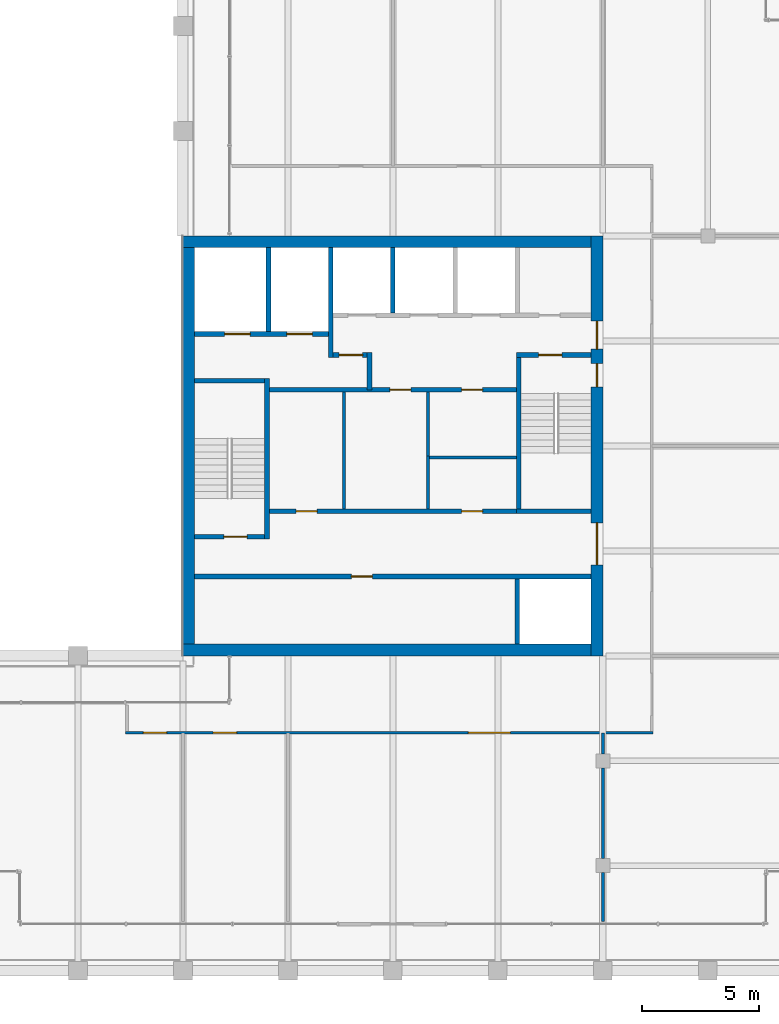
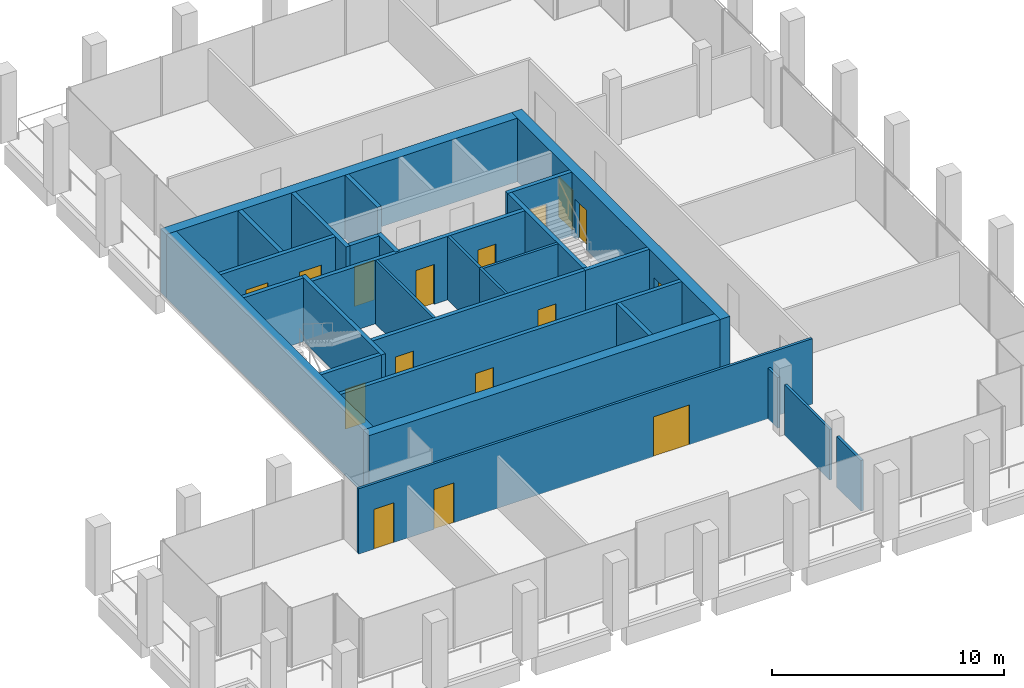
# One storey, part 28 of 30: 28 walls, 16 doors, 16 openings.
"""IFC4 building model written with IfcOpenShell, lengths in metres."""

from ifc_helpers import new_model, si_unit, direction, frame, frame_2d, origin, place, context, subcontext, project, spatial, rectangle, extrude, material, layer, layer_set, type_object, element, fill, save


model = new_model("IFC4")

# Units and contexts
model_context = context("Model", 3, precision=1e-05, world=origin(), true_north=direction((0.0, 1.0)))
body_context = subcontext(model_context, "Body", "Model", "MODEL_VIEW")
ifc_project = project(units=[si_unit("LENGTHUNIT", "METRE"), si_unit("AREAUNIT", "SQUARE_METRE"), si_unit("VOLUMEUNIT", "CUBIC_METRE"), si_unit("PLANEANGLEUNIT", "RADIAN"), si_unit("MASSUNIT", "GRAM", prefix="KILO")], contexts=[model_context])

# Site, building, storey
site_placement = place(None, origin())
site = spatial("IfcSite", under=ifc_project, at=site_placement, CompositionType="ELEMENT")
building_placement = place(site_placement, origin())
building = spatial("IfcBuilding", under=site, at=building_placement, Name="Altepetl Exchange Towers", CompositionType="ELEMENT")
storey_placement = place(building_placement, frame((0.0, 0.0, 228.0)))
storey = spatial("IfcBuildingStorey", under=building, at=storey_placement, Name="L58", CompositionType="ELEMENT", Elevation=228.0)

# Wall, openings, doors
ifc_material_1 = material(Name="Concrete C70/85", Category="concrete")
ifc_layer_1 = layer(ifc_material_1, 0.5)
ifc_layer_set_1 = layer_set([ifc_layer_1], Name="Concrete C70/85")
wall_type_1 = type_object("IfcWallType", Name="Core wall 500 reinforced concrete", PredefinedType="SHEAR", material=ifc_layer_set_1)
wall_1_placement = place(storey_placement, frame((58.25, 40.5, 0.0), z_axis=(0.0, 0.0, 1.0), x_axis=(0.0, 1.0, 0.0)))
wall_1 = element("IfcWall", 1, at=wall_1_placement, inside=storey, type_object=wall_type_1, Name="wall:A:L58:K-coreE", PredefinedType="SHEAR", context=body_context, shape_type="SweptSolid", body=[
    extrude(rectangle(XDim=18.0, YDim=0.5, at=frame_2d((9.0, 0.0))), origin(), (0.0, 0.0, 1.0), 3.35009765625),
])
opening_1_placement = place(wall_1_placement, frame((13.14990234375, 0.0, 0.0)))
opening_1 = element("IfcOpeningElement", 2, at=opening_1_placement, cuts=wall_1, Name="Opening L58.A60", PredefinedType="OPENING", context=body_context, shape_type="SweptSolid", body=[
    extrude(rectangle(XDim=1.199951171875, YDim=2.10009765625, at=frame_2d((0.60009765625, 1.050048828125))), frame((0.0, 0.260009765625, 0.0), z_axis=(0.0, -1.0, 0.0), x_axis=(1.0, 0.0, 0.0)), (0.0, 0.0, 1.0), 0.52001953125),
])
opening_2_placement = place(wall_1_placement, frame((3.89990234375, 0.0, 0.0)))
opening_2 = element("IfcOpeningElement", 3, at=opening_2_placement, cuts=wall_1, Name="Opening L58.A61", PredefinedType="OPENING", context=body_context, shape_type="SweptSolid", body=[
    extrude(rectangle(XDim=1.800048828125, YDim=2.10009765625, at=frame_2d((0.89990234375, 1.050048828125))), frame((0.0, 0.260009765625, 0.0), z_axis=(0.0, -1.0, 0.0), x_axis=(1.0, 0.0, 0.0)), (0.0, 0.0, 1.0), 0.52001953125),
])
opening_3_placement = place(wall_1_placement, frame((11.52490234375, 0.0, 0.0)))
opening_3 = element("IfcOpeningElement", 4, at=opening_3_placement, cuts=wall_1, Name="Opening L58.A64", PredefinedType="OPENING", context=body_context, shape_type="SweptSolid", body=[
    extrude(rectangle(XDim=1.0, YDim=2.10009765625, at=frame_2d((0.5, 1.050048828125))), frame((0.0, 0.260009765625, 0.0), z_axis=(0.0, -1.0, 0.0), x_axis=(1.0, 0.0, 0.0)), (0.0, 0.0, 1.0), 0.52001953125),
])
ifc_material_2 = material(Name="Steel and timber fire door", Category="steel")
door_type_1 = type_object("IfcDoorType", Name="Fire door 1000 x 2100 stair and lobby", OperationType="SINGLE_SWING_LEFT", PredefinedType="DOOR", material=ifc_material_2)
door_1_placement = place(opening_3_placement, origin())
door_1 = element("IfcDoor", 5, at=door_1_placement, inside=storey, type_object=door_type_1, Name="door:A:L58:K-dS2x", OperationType="SINGLE_SWING_RIGHT", OverallHeight=2.10009765625, OverallWidth=1.0, PredefinedType="DOOR", context=body_context, shape_type="SweptSolid", body=[
    extrude(rectangle(XDim=1.0, YDim=2.10009765625, at=frame_2d((0.5, 1.050048828125))), frame((0.0, 0.02490234375, 0.0), z_axis=(0.0, -1.0, 0.0), x_axis=(1.0, 0.0, 0.0)), (0.0, 0.0, 1.0), 0.050048828125),
])
fill(opening_3, door_1)
door_type_2 = type_object("IfcDoorType", Name="Fire door 1200 x 2100 lobby entry", OperationType="SINGLE_SWING_LEFT", PredefinedType="DOOR", material=ifc_material_2)
door_2_placement = place(opening_1_placement, origin())
door_2 = element("IfcDoor", 6, at=door_2_placement, inside=storey, type_object=door_type_2, Name="door:A:L58:K-dLNE", OperationType="SINGLE_SWING_RIGHT", OverallHeight=2.10009765625, OverallWidth=1.199951171875, PredefinedType="DOOR", context=body_context, shape_type="SweptSolid", body=[
    extrude(rectangle(XDim=1.199951171875, YDim=2.10009765625, at=frame_2d((0.60009765625, 1.050048828125))), frame((0.0, 0.02490234375, 0.0), z_axis=(0.0, -1.0, 0.0), x_axis=(1.0, 0.0, 0.0)), (0.0, 0.0, 1.0), 0.050048828125),
])
fill(opening_1, door_2)
door_type_3 = type_object("IfcDoorType", Name="Fire door 1800 x 2100 lobby entry", OperationType="DOUBLE_DOOR_SINGLE_SWING", PredefinedType="DOOR", material=ifc_material_2)
door_3_placement = place(opening_2_placement, origin())
door_3 = element("IfcDoor", 7, at=door_3_placement, inside=storey, type_object=door_type_3, Name="door:A:L58:K-dLSE", OperationType="DOUBLE_DOOR_SINGLE_SWING", OverallHeight=2.10009765625, OverallWidth=1.800048828125, PredefinedType="DOOR", context=body_context, shape_type="SweptSolid", body=[
    extrude(rectangle(XDim=1.800048828125, YDim=2.10009765625, at=frame_2d((0.89990234375, 1.050048828125))), frame((0.0, 0.02490234375, 0.0), z_axis=(0.0, -1.0, 0.0), x_axis=(1.0, 0.0, 0.0)), (0.0, 0.0, 1.0), 0.050048828125),
])
fill(opening_2, door_3)

# Walls
for number, where, name in (
    (8, (40.5, 58.25, 0.0), "wall:A:L58:K-coreN"),
    (9, (40.5, 40.75, 0.0), "wall:A:L58:K-coreS"),
):
    element("IfcWall", number, at=place(storey_placement, frame(where)), inside=storey, type_object=wall_type_1, Name=name, PredefinedType="SHEAR", context=body_context, shape_type="SweptSolid", body=[
        extrude(rectangle(XDim=17.5, YDim=0.5, at=frame_2d((8.75, 0.0))), origin(), (0.0, 0.0, 1.0), 3.35009765625),
    ])
ifc_layer_2 = layer(ifc_material_1, 0.5)
ifc_layer_set_2 = layer_set([ifc_layer_2], Name="Concrete C70/85")
wall_type_2 = type_object("IfcWallType", Name="Core wall 500 reinforced concrete external", PredefinedType="SHEAR", material=ifc_layer_set_2)
wall_2_placement = place(storey_placement, frame((40.75, 41.0, 0.0), z_axis=(0.0, 0.0, 1.0), x_axis=(0.0, 1.0, 0.0)))
element("IfcWall", 10, at=wall_2_placement, inside=storey, type_object=wall_type_2, Name="wall:A:L58:K-coreW", PredefinedType="SHEAR", context=body_context, shape_type="SweptSolid", body=[
    extrude(rectangle(XDim=17.0, YDim=0.5, at=frame_2d((8.5, 0.0))), origin(), (0.0, 0.0, 1.0), 3.35009765625),
])
ifc_material_3 = material(Name="Concrete blockwork", Category="masonry")
ifc_layer_3 = layer(ifc_material_3, 0.199951171875)
ifc_layer_set_3 = layer_set([ifc_layer_3], Name="Concrete blockwork")
wall_type_3 = type_object("IfcWallType", Name="Lobby wall 200 blockwork", PredefinedType="PARTITIONING", material=ifc_layer_set_3)
wall_3_placement = place(storey_placement, frame((48.5, 51.89990234375, 0.0), z_axis=(0.0, 0.0, 1.0), x_axis=(0.0, 1.0, 0.0)))
element("IfcWall", 11, at=wall_3_placement, inside=storey, type_object=wall_type_3, Name="wall:A:L58:K-ffE", PredefinedType="PARTITIONING", context=body_context, shape_type="SweptSolid", body=[
    extrude(rectangle(XDim=1.60009765625, YDim=0.199951171875, at=frame_2d((0.800048828125, 0.0))), origin(), (0.0, 0.0, 1.0), 3.35009765625),
])

# Wall, opening, door
wall_4_placement = place(storey_placement, frame((46.933349609375, 53.39990234375, 0.0)))
wall_4 = element("IfcWall", 12, at=wall_4_placement, inside=storey, type_object=wall_type_3, Name="wall:A:L58:K-ffN", PredefinedType="PARTITIONING", context=body_context, shape_type="SweptSolid", body=[
    extrude(rectangle(XDim=1.466552734375, YDim=0.199951171875, at=frame_2d((0.7333984375, 0.0))), origin(), (0.0, 0.0, 1.0), 3.35009765625),
])
opening_4_placement = place(wall_4_placement, frame((0.2666015625, 0.0, 0.0)))
opening_4 = element("IfcOpeningElement", 13, at=opening_4_placement, cuts=wall_4, Name="Opening L58.A65", PredefinedType="OPENING", context=body_context, shape_type="SweptSolid", body=[
    extrude(rectangle(XDim=1.0, YDim=2.10009765625, at=frame_2d((0.5, 1.050048828125))), frame((0.0, 0.10986328125, 0.0), z_axis=(0.0, -1.0, 0.0), x_axis=(1.0, 0.0, 0.0)), (0.0, 0.0, 1.0), 0.219970703125),
])
door_4_placement = place(opening_4_placement, frame((1.0, 0.0, 0.0), x_axis=(-1.0, 0.0, 0.0)))
door_4 = element("IfcDoor", 14, at=door_4_placement, inside=storey, type_object=door_type_1, Name="door:A:L58:K-dffN", OperationType="SINGLE_SWING_LEFT", OverallHeight=2.10009765625, OverallWidth=1.0, PredefinedType="DOOR", context=body_context, shape_type="SweptSolid", body=[
    extrude(rectangle(XDim=1.0, YDim=2.10009765625, at=frame_2d((0.5, 1.050048828125))), frame((0.0, 0.02490234375, 0.0), z_axis=(0.0, -1.0, 0.0), x_axis=(1.0, 0.0, 0.0)), (0.0, 0.0, 1.0), 0.050048828125),
])
fill(opening_4, door_4)

# Wall, openings, doors
wall_5_placement = place(storey_placement, frame((44.199951171875, 51.89990234375, 0.0)))
wall_5 = element("IfcWall", 15, at=wall_5_placement, inside=storey, type_object=wall_type_3, Name="wall:A:L58:K-zoneN", PredefinedType="PARTITIONING", context=body_context, shape_type="SweptSolid", body=[
    extrude(rectangle(XDim=10.60009765625, YDim=0.199951171875, at=frame_2d((5.300048828125, 0.0))), origin(), (0.0, 0.0, 1.0), 3.35009765625),
])
opening_5_placement = place(wall_5_placement, frame((5.175048828125, 0.0, 0.0)))
opening_5 = element("IfcOpeningElement", 16, at=opening_5_placement, cuts=wall_5, Name="Opening L58.A69", PredefinedType="OPENING", context=body_context, shape_type="SweptSolid", body=[
    extrude(rectangle(XDim=0.89990234375, YDim=2.10009765625, at=frame_2d((0.449951171875, 1.050048828125))), frame((0.0, 0.10986328125, 0.0), z_axis=(0.0, -1.0, 0.0), x_axis=(1.0, 0.0, 0.0)), (0.0, 0.0, 1.0), 0.219970703125),
])
opening_6_placement = place(wall_5_placement, frame((8.25, 0.0, 0.0)))
opening_6 = element("IfcOpeningElement", 17, at=opening_6_placement, cuts=wall_5, Name="Opening L58.A71", PredefinedType="OPENING", context=body_context, shape_type="SweptSolid", body=[
    extrude(rectangle(XDim=0.89990234375, YDim=2.10009765625, at=frame_2d((0.449951171875, 1.050048828125))), frame((0.0, 0.10986328125, 0.0), z_axis=(0.0, -1.0, 0.0), x_axis=(1.0, 0.0, 0.0)), (0.0, 0.0, 1.0), 0.219970703125),
])
door_type_4 = type_object("IfcDoorType", Name="Fire door 900 x 2100 service room", OperationType="SINGLE_SWING_LEFT", PredefinedType="DOOR", material=ifc_material_2)
door_5_placement = place(opening_5_placement, frame((0.89990234375, 0.0, 0.0), x_axis=(-1.0, 0.0, 0.0)))
door_5 = element("IfcDoor", 18, at=door_5_placement, inside=storey, type_object=door_type_4, Name="door:A:L58:K-dz2", OperationType="SINGLE_SWING_LEFT", OverallHeight=2.10009765625, OverallWidth=0.89990234375, PredefinedType="DOOR", context=body_context, shape_type="SweptSolid", body=[
    extrude(rectangle(XDim=0.89990234375, YDim=2.10009765625, at=frame_2d((0.449951171875, 1.050048828125))), frame((0.0, 0.02490234375, 0.0), z_axis=(0.0, -1.0, 0.0), x_axis=(1.0, 0.0, 0.0)), (0.0, 0.0, 1.0), 0.050048828125),
])
fill(opening_5, door_5)
door_6_placement = place(opening_6_placement, frame((0.89990234375, 0.0, 0.0), x_axis=(-1.0, 0.0, 0.0)))
door_6 = element("IfcDoor", 19, at=door_6_placement, inside=storey, type_object=door_type_4, Name="door:A:L58:K-dz4", OperationType="SINGLE_SWING_LEFT", OverallHeight=2.10009765625, OverallWidth=0.89990234375, PredefinedType="DOOR", context=body_context, shape_type="SweptSolid", body=[
    extrude(rectangle(XDim=0.89990234375, YDim=2.10009765625, at=frame_2d((0.449951171875, 1.050048828125))), frame((0.0, 0.02490234375, 0.0), z_axis=(0.0, -1.0, 0.0), x_axis=(1.0, 0.0, 0.0)), (0.0, 0.0, 1.0), 0.050048828125),
])
fill(opening_6, door_6)

wall_6_placement = place(storey_placement, frame((44.199951171875, 46.699951171875, 0.0)))
wall_6 = element("IfcWall", 20, at=wall_6_placement, inside=storey, type_object=wall_type_3, Name="wall:A:L58:K-zoneS", PredefinedType="PARTITIONING", context=body_context, shape_type="SweptSolid", body=[
    extrude(rectangle(XDim=10.60009765625, YDim=0.199951171875, at=frame_2d((5.300048828125, 0.0))), origin(), (0.0, 0.0, 1.0), 3.35009765625),
])
opening_7_placement = place(wall_6_placement, frame((1.14990234375, 0.0, 0.0)))
opening_7 = element("IfcOpeningElement", 21, at=opening_7_placement, cuts=wall_6, Name="Opening L58.A68", PredefinedType="OPENING", context=body_context, shape_type="SweptSolid", body=[
    extrude(rectangle(XDim=0.89990234375, YDim=2.10009765625, at=frame_2d((0.449951171875, 1.050048828125))), frame((0.0, 0.10986328125, 0.0), z_axis=(0.0, -1.0, 0.0), x_axis=(1.0, 0.0, 0.0)), (0.0, 0.0, 1.0), 0.219970703125),
])
opening_8_placement = place(wall_6_placement, frame((8.25, 0.0, 0.0)))
opening_8 = element("IfcOpeningElement", 22, at=opening_8_placement, cuts=wall_6, Name="Opening L58.A70", PredefinedType="OPENING", context=body_context, shape_type="SweptSolid", body=[
    extrude(rectangle(XDim=0.89990234375, YDim=2.10009765625, at=frame_2d((0.449951171875, 1.050048828125))), frame((0.0, 0.10986328125, 0.0), z_axis=(0.0, -1.0, 0.0), x_axis=(1.0, 0.0, 0.0)), (0.0, 0.0, 1.0), 0.219970703125),
])
door_7_placement = place(opening_7_placement, origin())
door_7 = element("IfcDoor", 23, at=door_7_placement, inside=storey, type_object=door_type_4, Name="door:A:L58:K-dz1", OperationType="SINGLE_SWING_RIGHT", OverallHeight=2.10009765625, OverallWidth=0.89990234375, PredefinedType="DOOR", context=body_context, shape_type="SweptSolid", body=[
    extrude(rectangle(XDim=0.89990234375, YDim=2.10009765625, at=frame_2d((0.449951171875, 1.050048828125))), frame((0.0, 0.02490234375, 0.0), z_axis=(0.0, -1.0, 0.0), x_axis=(1.0, 0.0, 0.0)), (0.0, 0.0, 1.0), 0.050048828125),
])
fill(opening_7, door_7)
door_8_placement = place(opening_8_placement, origin())
door_8 = element("IfcDoor", 24, at=door_8_placement, inside=storey, type_object=door_type_4, Name="door:A:L58:K-dz3", OperationType="SINGLE_SWING_RIGHT", OverallHeight=2.10009765625, OverallWidth=0.89990234375, PredefinedType="DOOR", context=body_context, shape_type="SweptSolid", body=[
    extrude(rectangle(XDim=0.89990234375, YDim=2.10009765625, at=frame_2d((0.449951171875, 1.050048828125))), frame((0.0, 0.02490234375, 0.0), z_axis=(0.0, -1.0, 0.0), x_axis=(1.0, 0.0, 0.0)), (0.0, 0.0, 1.0), 0.050048828125),
])
fill(opening_8, door_8)

# Walls
ifc_material_4 = material(Name="Gypsum board on steel studs", Category="steel")
ifc_layer_4 = layer(ifc_material_4, 0.125)
ifc_layer_set_4 = layer_set([ifc_layer_4], Name="Gypsum board on steel studs")
wall_type_4 = type_object("IfcWallType", Name="Partition 125 gypsum board on steel studs", PredefinedType="PARTITIONING", material=ifc_layer_set_4)
wall_7_placement = place(storey_placement, frame((47.39990234375, 46.800048828125, 0.0), z_axis=(0.0, 0.0, 1.0), x_axis=(0.0, 1.0, 0.0)))
element("IfcWall", 25, at=wall_7_placement, inside=storey, type_object=wall_type_4, Name="wall:A:L58:K-zp1", PredefinedType="PARTITIONING", context=body_context, shape_type="SweptSolid", body=[
    extrude(rectangle(XDim=5.0, YDim=0.125, at=frame_2d((2.5, 0.0))), origin(), (0.0, 0.0, 1.0), 3.35009765625),
])
wall_8_placement = place(storey_placement, frame((51.0, 46.800048828125, 0.0), z_axis=(0.0, 0.0, 1.0), x_axis=(0.0, 1.0, 0.0)))
element("IfcWall", 26, at=wall_8_placement, inside=storey, type_object=wall_type_4, Name="wall:A:L58:K-zp2", PredefinedType="PARTITIONING", context=body_context, shape_type="SweptSolid", body=[
    extrude(rectangle(XDim=2.262451171875, YDim=0.125, at=frame_2d((1.13134765625, 0.0))), origin(), (0.0, 0.0, 1.0), 3.35009765625),
])
wall_9_placement = place(storey_placement, frame((54.800048828125, 49.0, 0.0), z_axis=(0.0, 0.0, 1.0), x_axis=(-1.0, 0.0, 0.0)))
element("IfcWall", 27, at=wall_9_placement, inside=storey, type_object=wall_type_4, Name="wall:A:L58:K-zp3", PredefinedType="PARTITIONING", context=body_context, shape_type="SweptSolid", body=[
    extrude(rectangle(XDim=3.737548828125, YDim=0.125, at=frame_2d((1.86865234375, 0.0))), origin(), (0.0, 0.0, 1.0), 3.35009765625),
])
wall_10_placement = place(storey_placement, frame((51.0, 49.0, 0.0), z_axis=(0.0, 0.0, 1.0), x_axis=(0.0, 1.0, 0.0)))
element("IfcWall", 28, at=wall_10_placement, inside=storey, type_object=wall_type_4, Name="wall:A:L58:K-zp4", PredefinedType="PARTITIONING", context=body_context, shape_type="SweptSolid", body=[
    extrude(rectangle(XDim=2.800048828125, YDim=0.125, at=frame_2d((1.39990234375, 0.0))), origin(), (0.0, 0.0, 1.0), 3.35009765625),
])

# Wall, openings, doors
wall_11_placement = place(storey_placement, frame((38.03759765625, 37.199951171875, 0.0)))
wall_11 = element("IfcWall", 29, at=wall_11_placement, inside=storey, type_object=wall_type_4, Name="wall:A:L58:P01", PredefinedType="PARTITIONING", context=body_context, shape_type="SweptSolid", body=[
    extrude(rectangle(XDim=22.625, YDim=0.125, at=frame_2d((11.3125, 0.0))), origin(), (0.0, 0.0, 1.0), 3.449951171875),
])
opening_9_placement = place(wall_11_placement, frame((0.762451171875, 0.0, 0.0)))
opening_9 = element("IfcOpeningElement", 30, at=opening_9_placement, cuts=wall_11, Name="Opening L58.A01", PredefinedType="OPENING", context=body_context, shape_type="SweptSolid", body=[
    extrude(rectangle(XDim=1.0, YDim=2.10009765625, at=frame_2d((0.5, 1.050048828125))), frame((0.0, 0.072509765625, 0.0), z_axis=(0.0, -1.0, 0.0), x_axis=(1.0, 0.0, 0.0)), (0.0, 0.0, 1.0), 0.14501953125),
])
opening_10_placement = place(wall_11_placement, frame((3.757568359375, 0.0, 0.0)))
opening_10 = element("IfcOpeningElement", 31, at=opening_10_placement, cuts=wall_11, Name="Opening L58.A02", PredefinedType="OPENING", context=body_context, shape_type="SweptSolid", body=[
    extrude(rectangle(XDim=1.0, YDim=2.10009765625, at=frame_2d((0.5, 1.050048828125))), frame((0.0, 0.072509765625, 0.0), z_axis=(0.0, -1.0, 0.0), x_axis=(1.0, 0.0, 0.0)), (0.0, 0.0, 1.0), 0.14501953125),
])
opening_11_placement = place(wall_11_placement, frame((14.702392578125, 0.0, 0.0)))
opening_11 = element("IfcOpeningElement", 32, at=opening_11_placement, cuts=wall_11, Name="Opening L58.A03", PredefinedType="OPENING", context=body_context, shape_type="SweptSolid", body=[
    extrude(rectangle(XDim=1.800048828125, YDim=2.10009765625, at=frame_2d((0.89990234375, 1.050048828125))), frame((0.0, 0.072509765625, 0.0), z_axis=(0.0, -1.0, 0.0), x_axis=(1.0, 0.0, 0.0)), (0.0, 0.0, 1.0), 0.14501953125),
])
door_type_5 = type_object("IfcDoorType", Name="Fire door 1000 x 2100 single leaf", OperationType="SINGLE_SWING_LEFT", PredefinedType="DOOR", material=ifc_material_2)
door_9_placement = place(opening_9_placement, frame((1.0, 0.0, 0.0), x_axis=(-1.0, 0.0, 0.0)))
door_9 = element("IfcDoor", 33, at=door_9_placement, inside=storey, type_object=door_type_5, Name="door:A:L58:01", OperationType="SINGLE_SWING_RIGHT", OverallHeight=2.10009765625, OverallWidth=1.0, PredefinedType="DOOR", context=body_context, shape_type="SweptSolid", body=[
    extrude(rectangle(XDim=1.0, YDim=2.10009765625, at=frame_2d((0.5, 1.050048828125))), frame((0.0, 0.02490234375, 0.0), z_axis=(0.0, -1.0, 0.0), x_axis=(1.0, 0.0, 0.0)), (0.0, 0.0, 1.0), 0.050048828125),
])
fill(opening_9, door_9)
door_10_placement = place(opening_10_placement, frame((1.0, 0.0, 0.0), x_axis=(-1.0, 0.0, 0.0)))
door_10 = element("IfcDoor", 34, at=door_10_placement, inside=storey, type_object=door_type_5, Name="door:A:L58:02", OperationType="SINGLE_SWING_RIGHT", OverallHeight=2.10009765625, OverallWidth=1.0, PredefinedType="DOOR", context=body_context, shape_type="SweptSolid", body=[
    extrude(rectangle(XDim=1.0, YDim=2.10009765625, at=frame_2d((0.5, 1.050048828125))), frame((0.0, 0.02490234375, 0.0), z_axis=(0.0, -1.0, 0.0), x_axis=(1.0, 0.0, 0.0)), (0.0, 0.0, 1.0), 0.050048828125),
])
fill(opening_10, door_10)
door_type_6 = type_object("IfcDoorType", Name="Fire door 1800 x 2100 double leaf", OperationType="DOUBLE_DOOR_SINGLE_SWING", PredefinedType="DOOR", material=ifc_material_2)
door_11_placement = place(opening_11_placement, frame((1.800048828125, 0.0, 0.0), x_axis=(-1.0, 0.0, 0.0)))
door_11 = element("IfcDoor", 35, at=door_11_placement, inside=storey, type_object=door_type_6, Name="door:A:L58:03", OperationType="DOUBLE_DOOR_SINGLE_SWING", OverallHeight=2.10009765625, OverallWidth=1.800048828125, PredefinedType="DOOR", context=body_context, shape_type="SweptSolid", body=[
    extrude(rectangle(XDim=1.800048828125, YDim=2.10009765625, at=frame_2d((0.89990234375, 1.050048828125))), frame((0.0, 0.02490234375, 0.0), z_axis=(0.0, -1.0, 0.0), x_axis=(1.0, 0.0, 0.0)), (0.0, 0.0, 1.0), 0.050048828125),
])
fill(opening_11, door_11)

# Walls
wall_12_placement = place(storey_placement, frame((58.5, 29.10009765625, 0.0), z_axis=(0.0, 0.0, 1.0), x_axis=(0.0, 1.0, 0.0)))
element("IfcWall", 36, at=wall_12_placement, inside=storey, type_object=wall_type_4, Name="wall:A:L58:P12", PredefinedType="PARTITIONING", context=body_context, shape_type="SweptSolid", body=[
    extrude(rectangle(XDim=2.099853515625, YDim=0.125, at=frame_2d((1.0498046875, 0.0))), origin(), (0.0, 0.0, 1.0), 2.676025390625),
])
wall_13_placement = place(storey_placement, frame((58.5, 31.800048828125, 0.0), z_axis=(0.0, 0.0, 1.0), x_axis=(0.0, 1.0, 0.0)))
element("IfcWall", 37, at=wall_13_placement, inside=storey, type_object=wall_type_4, Name="wall:A:L58:P13", PredefinedType="PARTITIONING", context=body_context, shape_type="SweptSolid", body=[
    extrude(rectangle(XDim=3.89990234375, YDim=0.125, at=frame_2d((1.949951171875, 0.0))), origin(), (0.0, 0.0, 1.0), 2.676025390625),
])
wall_14_placement = place(storey_placement, frame((58.5, 36.300048828125, 0.0), z_axis=(0.0, 0.0, 1.0), x_axis=(0.0, 1.0, 0.0)))
element("IfcWall", 38, at=wall_14_placement, inside=storey, type_object=wall_type_4, Name="wall:A:L58:P14", PredefinedType="PARTITIONING", context=body_context, shape_type="SweptSolid", body=[
    extrude(rectangle(XDim=0.89990234375, YDim=0.125, at=frame_2d((0.449951171875, 0.0))), origin(), (0.0, 0.0, 1.0), 2.676025390625),
])
ifc_material_5 = material(Name="Concrete C40/50", Category="concrete")
ifc_layer_5 = layer(ifc_material_5, 0.199951171875)
ifc_layer_set_5 = layer_set([ifc_layer_5], Name="Concrete C40/50")
wall_type_5 = type_object("IfcWallType", Name="Shaft wall 200 reinforced concrete", PredefinedType="SHEAR", material=ifc_layer_set_5)
wall_15_placement = place(storey_placement, frame((44.166748046875, 58.0, 0.0), z_axis=(0.0, 0.0, 1.0), x_axis=(0.0, -1.0, 0.0)))
element("IfcWall", 39, at=wall_15_placement, inside=storey, type_object=wall_type_5, Name="wall:A:L58:K-divN1", PredefinedType="SHEAR", context=body_context, shape_type="SweptSolid", body=[
    extrude(rectangle(XDim=3.60009765625, YDim=0.199951171875, at=frame_2d((1.800048828125, 0.0))), origin(), (0.0, 0.0, 1.0), 3.35009765625),
])
wall_16_placement = place(storey_placement, frame((46.833251953125, 58.0, 0.0), z_axis=(0.0, 0.0, 1.0), x_axis=(0.0, -1.0, 0.0)))
element("IfcWall", 40, at=wall_16_placement, inside=storey, type_object=wall_type_5, Name="wall:A:L58:K-divN2", PredefinedType="SHEAR", context=body_context, shape_type="SweptSolid", body=[
    extrude(rectangle(XDim=4.699951171875, YDim=0.199951171875, at=frame_2d((2.35009765625, 0.0))), origin(), (0.0, 0.0, 1.0), 3.35009765625),
])
for number, where, z_axis, x_axis, name in (
    (41, (49.5, 58.0, 0.0), (0.0, 0.0, 1.0), (0.0, -1.0, 0.0), "wall:A:L58:K-divN3"),
    (42, (54.833251953125, 41.0, 0.0), (0.0, 0.0, 1.0), (0.0, 1.0, 0.0), "wall:A:L58:K-divS5"),
):
    element("IfcWall", number, at=place(storey_placement, frame(where, z_axis=z_axis, x_axis=x_axis)), inside=storey, type_object=wall_type_5, Name=name, PredefinedType="SHEAR", context=body_context, shape_type="SweptSolid", body=[
        extrude(rectangle(XDim=2.800048828125, YDim=0.199951171875, at=frame_2d((1.39990234375, 0.0))), origin(), (0.0, 0.0, 1.0), 3.35009765625),
    ])

# Wall, openings, doors
wall_17_placement = place(storey_placement, frame((41.0, 54.300048828125, 0.0)))
wall_17 = element("IfcWall", 43, at=wall_17_placement, inside=storey, type_object=wall_type_5, Name="wall:A:L58:K-frontNd", PredefinedType="SHEAR", context=body_context, shape_type="SweptSolid", body=[
    extrude(rectangle(XDim=5.7333984375, YDim=0.199951171875, at=frame_2d((2.86669921875, 0.0))), origin(), (0.0, 0.0, 1.0), 3.35009765625),
])
opening_12_placement = place(wall_17_placement, frame((1.283203125, 0.0, 0.0)))
opening_12 = element("IfcOpeningElement", 44, at=opening_12_placement, cuts=wall_17, Name="Opening L58.A72", PredefinedType="OPENING", context=body_context, shape_type="SweptSolid", body=[
    extrude(rectangle(XDim=1.10009765625, YDim=2.10009765625, at=frame_2d((0.550048828125, 1.050048828125))), frame((0.0, 0.10986328125, 0.0), z_axis=(0.0, -1.0, 0.0), x_axis=(1.0, 0.0, 0.0)), (0.0, 0.0, 1.0), 0.219970703125),
])
opening_13_placement = place(wall_17_placement, frame((3.949951171875, 0.0, 0.0)))
opening_13 = element("IfcOpeningElement", 45, at=opening_13_placement, cuts=wall_17, Name="Opening L58.A73", PredefinedType="OPENING", context=body_context, shape_type="SweptSolid", body=[
    extrude(rectangle(XDim=1.10009765625, YDim=2.10009765625, at=frame_2d((0.550048828125, 1.050048828125))), frame((0.0, 0.10986328125, 0.0), z_axis=(0.0, -1.0, 0.0), x_axis=(1.0, 0.0, 0.0)), (0.0, 0.0, 1.0), 0.219970703125),
])
ifc_material_6 = material(Name="Stainless steel", Category="steel")
door_type_7 = type_object("IfcDoorType", Name="Lift landing door 1100 x 2100", OperationType="SLIDING_TO_LEFT", PredefinedType="DOOR", material=ifc_material_6)
door_12_placement = place(opening_12_placement, origin())
door_12 = element("IfcDoor", 46, at=door_12_placement, inside=storey, type_object=door_type_7, Name="Landing door FFL1", OperationType="SLIDING_TO_LEFT", OverallHeight=2.10009765625, OverallWidth=1.10009765625, PredefinedType="DOOR", context=body_context, shape_type="SweptSolid", body=[
    extrude(rectangle(XDim=1.10009765625, YDim=2.10009765625, at=frame_2d((0.550048828125, 1.050048828125))), frame((0.0, 0.02490234375, 0.0), z_axis=(0.0, -1.0, 0.0), x_axis=(1.0, 0.0, 0.0)), (0.0, 0.0, 1.0), 0.050048828125),
])
fill(opening_12, door_12)
door_13_placement = place(opening_13_placement, origin())
door_13 = element("IfcDoor", 47, at=door_13_placement, inside=storey, type_object=door_type_7, Name="Landing door FFL2", OperationType="SLIDING_TO_LEFT", OverallHeight=2.10009765625, OverallWidth=1.10009765625, PredefinedType="DOOR", context=body_context, shape_type="SweptSolid", body=[
    extrude(rectangle(XDim=1.10009765625, YDim=2.10009765625, at=frame_2d((0.550048828125, 1.050048828125))), frame((0.0, 0.02490234375, 0.0), z_axis=(0.0, -1.0, 0.0), x_axis=(1.0, 0.0, 0.0)), (0.0, 0.0, 1.0), 0.050048828125),
])
fill(opening_13, door_13)

# Wall, opening, door
wall_18_placement = place(storey_placement, frame((41.0, 43.89990234375, 0.0)))
wall_18 = element("IfcWall", 48, at=wall_18_placement, inside=storey, type_object=wall_type_5, Name="wall:A:L58:K-frontS", PredefinedType="SHEAR", context=body_context, shape_type="SweptSolid", body=[
    extrude(rectangle(XDim=17.0, YDim=0.199951171875, at=frame_2d((8.5, 0.0))), origin(), (0.0, 0.0, 1.0), 3.35009765625),
])
opening_14_placement = place(wall_18_placement, frame((6.716796875, 0.0, 0.0)))
opening_14 = element("IfcOpeningElement", 49, at=opening_14_placement, cuts=wall_18, Name="Opening L58.A67", PredefinedType="OPENING", context=body_context, shape_type="SweptSolid", body=[
    extrude(rectangle(XDim=0.89990234375, YDim=2.10009765625, at=frame_2d((0.449951171875, 1.050048828125))), frame((0.0, 0.10986328125, 0.0), z_axis=(0.0, -1.0, 0.0), x_axis=(1.0, 0.0, 0.0)), (0.0, 0.0, 1.0), 0.219970703125),
])
door_14_placement = place(opening_14_placement, frame((0.89990234375, 0.0, 0.0), x_axis=(-1.0, 0.0, 0.0)))
door_14 = element("IfcDoor", 50, at=door_14_placement, inside=storey, type_object=door_type_4, Name="door:A:L58:K-dslotS0", OperationType="SINGLE_SWING_LEFT", OverallHeight=2.10009765625, OverallWidth=0.89990234375, PredefinedType="DOOR", context=body_context, shape_type="SweptSolid", body=[
    extrude(rectangle(XDim=0.89990234375, YDim=2.10009765625, at=frame_2d((0.449951171875, 1.050048828125))), frame((0.0, 0.02490234375, 0.0), z_axis=(0.0, -1.0, 0.0), x_axis=(1.0, 0.0, 0.0)), (0.0, 0.0, 1.0), 0.050048828125),
])
fill(opening_14, door_14)

# Walls
ifc_layer_6 = layer(ifc_material_5, 0.199951171875)
ifc_layer_set_6 = layer_set([ifc_layer_6], Name="Concrete C40/50")
wall_type_6 = type_object("IfcWallType", Name="Stair wall 200 reinforced concrete", PredefinedType="SHEAR", material=ifc_layer_set_6)
wall_19_placement = place(storey_placement, frame((44.10009765625, 45.5, 0.0), z_axis=(0.0, 0.0, 1.0), x_axis=(0.0, 1.0, 0.0)))
element("IfcWall", 51, at=wall_19_placement, inside=storey, type_object=wall_type_6, Name="wall:A:L58:K-stS1E", PredefinedType="SHEAR", context=body_context, shape_type="SweptSolid", body=[
    extrude(rectangle(XDim=6.89990234375, YDim=0.199951171875, at=frame_2d((3.449951171875, 0.0))), origin(), (0.0, 0.0, 1.0), 3.35009765625),
])
wall_20_placement = place(storey_placement, frame((41.0, 52.300048828125, 0.0)))
element("IfcWall", 52, at=wall_20_placement, inside=storey, type_object=wall_type_6, Name="wall:A:L58:K-stS1N", PredefinedType="SHEAR", context=body_context, shape_type="SweptSolid", body=[
    extrude(rectangle(XDim=3.0, YDim=0.199951171875, at=frame_2d((1.5, 0.0))), origin(), (0.0, 0.0, 1.0), 3.35009765625),
])

# Wall, opening, door
wall_21_placement = place(storey_placement, frame((41.0, 45.60009765625, 0.0)))
wall_21 = element("IfcWall", 53, at=wall_21_placement, inside=storey, type_object=wall_type_6, Name="wall:A:L58:K-stS1S", PredefinedType="SHEAR", context=body_context, shape_type="SweptSolid", body=[
    extrude(rectangle(XDim=3.0, YDim=0.199951171875, at=frame_2d((1.5, 0.0))), origin(), (0.0, 0.0, 1.0), 3.35009765625),
])
opening_15_placement = place(wall_21_placement, frame((1.25, 0.0, 0.0)))
opening_15 = element("IfcOpeningElement", 54, at=opening_15_placement, cuts=wall_21, Name="Opening L58.A62", PredefinedType="OPENING", context=body_context, shape_type="SweptSolid", body=[
    extrude(rectangle(XDim=1.0, YDim=2.10009765625, at=frame_2d((0.5, 1.050048828125))), frame((0.0, 0.10986328125, 0.0), z_axis=(0.0, -1.0, 0.0), x_axis=(1.0, 0.0, 0.0)), (0.0, 0.0, 1.0), 0.219970703125),
])
door_15_placement = place(opening_15_placement, origin())
door_15 = element("IfcDoor", 55, at=door_15_placement, inside=storey, type_object=door_type_1, Name="door:A:L58:K-dS1in", OperationType="SINGLE_SWING_RIGHT", OverallHeight=2.10009765625, OverallWidth=1.0, PredefinedType="DOOR", context=body_context, shape_type="SweptSolid", body=[
    extrude(rectangle(XDim=1.0, YDim=2.10009765625, at=frame_2d((0.5, 1.050048828125))), frame((0.0, 0.02490234375, 0.0), z_axis=(0.0, -1.0, 0.0), x_axis=(1.0, 0.0, 0.0)), (0.0, 0.0, 1.0), 0.050048828125),
])
fill(opening_15, door_15)

wall_22_placement = place(storey_placement, frame((54.800048828125, 53.39990234375, 0.0)))
wall_22 = element("IfcWall", 56, at=wall_22_placement, inside=storey, type_object=wall_type_6, Name="wall:A:L58:K-stS2N", PredefinedType="SHEAR", context=body_context, shape_type="SweptSolid", body=[
    extrude(rectangle(XDim=3.199951171875, YDim=0.199951171875, at=frame_2d((1.60009765625, 0.0))), origin(), (0.0, 0.0, 1.0), 3.35009765625),
])
opening_16_placement = place(wall_22_placement, frame((0.949951171875, 0.0, 0.0)))
opening_16 = element("IfcOpeningElement", 57, at=opening_16_placement, cuts=wall_22, Name="Opening L58.A63", PredefinedType="OPENING", context=body_context, shape_type="SweptSolid", body=[
    extrude(rectangle(XDim=1.0, YDim=2.10009765625, at=frame_2d((0.5, 1.050048828125))), frame((0.0, 0.10986328125, 0.0), z_axis=(0.0, -1.0, 0.0), x_axis=(1.0, 0.0, 0.0)), (0.0, 0.0, 1.0), 0.219970703125),
])
door_16_placement = place(opening_16_placement, frame((1.0, 0.0, 0.0), x_axis=(-1.0, 0.0, 0.0)))
door_16 = element("IfcDoor", 58, at=door_16_placement, inside=storey, type_object=door_type_1, Name="door:A:L58:K-dS2in", OperationType="SINGLE_SWING_LEFT", OverallHeight=2.10009765625, OverallWidth=1.0, PredefinedType="DOOR", context=body_context, shape_type="SweptSolid", body=[
    extrude(rectangle(XDim=1.0, YDim=2.10009765625, at=frame_2d((0.5, 1.050048828125))), frame((0.0, 0.02490234375, 0.0), z_axis=(0.0, -1.0, 0.0), x_axis=(1.0, 0.0, 0.0)), (0.0, 0.0, 1.0), 0.050048828125),
])
fill(opening_16, door_16)

# Walls
wall_23_placement = place(storey_placement, frame((54.800048828125, 46.699951171875, 0.0)))
element("IfcWall", 59, at=wall_23_placement, inside=storey, type_object=wall_type_6, Name="wall:A:L58:K-stS2S", PredefinedType="SHEAR", context=body_context, shape_type="SweptSolid", body=[
    extrude(rectangle(XDim=3.199951171875, YDim=0.199951171875, at=frame_2d((1.60009765625, 0.0))), origin(), (0.0, 0.0, 1.0), 3.35009765625),
])
wall_24_placement = place(storey_placement, frame((54.89990234375, 46.800048828125, 0.0), z_axis=(0.0, 0.0, 1.0), x_axis=(0.0, 1.0, 0.0)))
element("IfcWall", 60, at=wall_24_placement, inside=storey, type_object=wall_type_6, Name="wall:A:L58:K-stS2W", PredefinedType="SHEAR", context=body_context, shape_type="SweptSolid", body=[
    extrude(rectangle(XDim=6.5, YDim=0.199951171875, at=frame_2d((3.25, 0.0))), origin(), (0.0, 0.0, 1.0), 3.35009765625),
])

save(model, "model.ifc")
